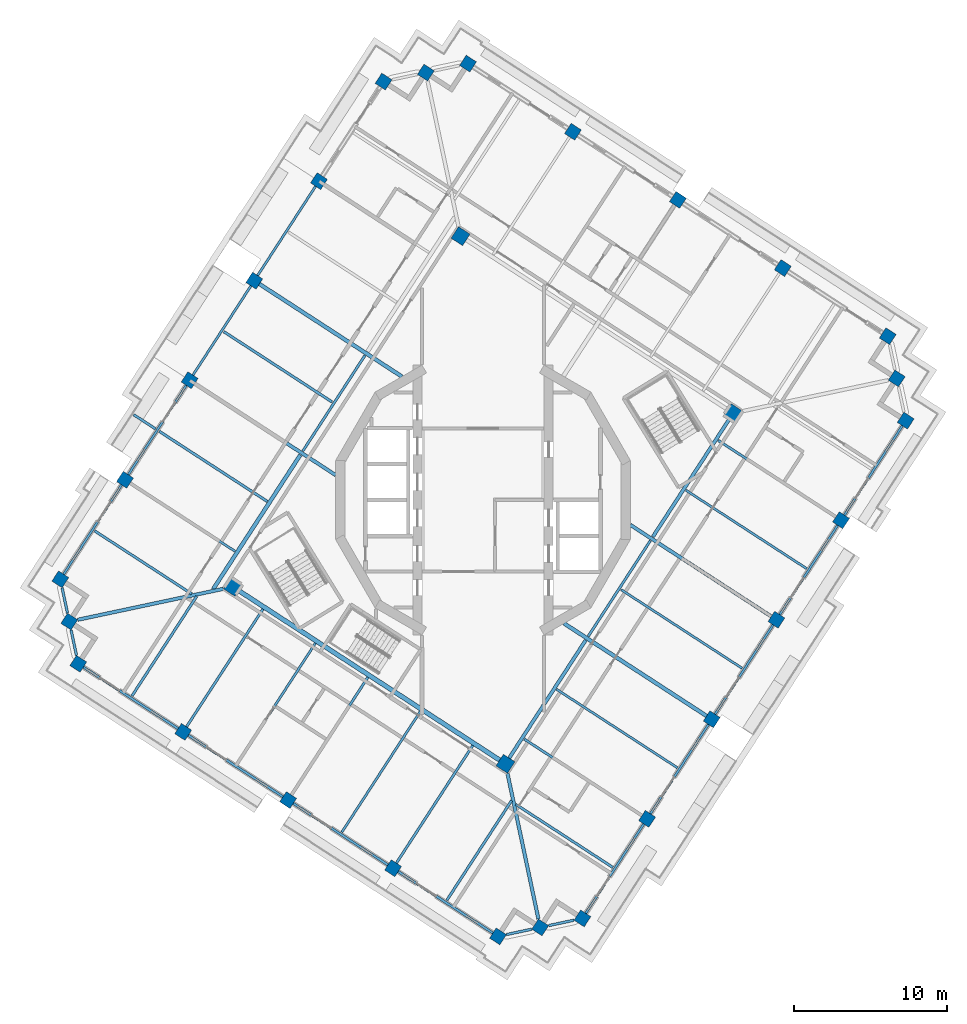
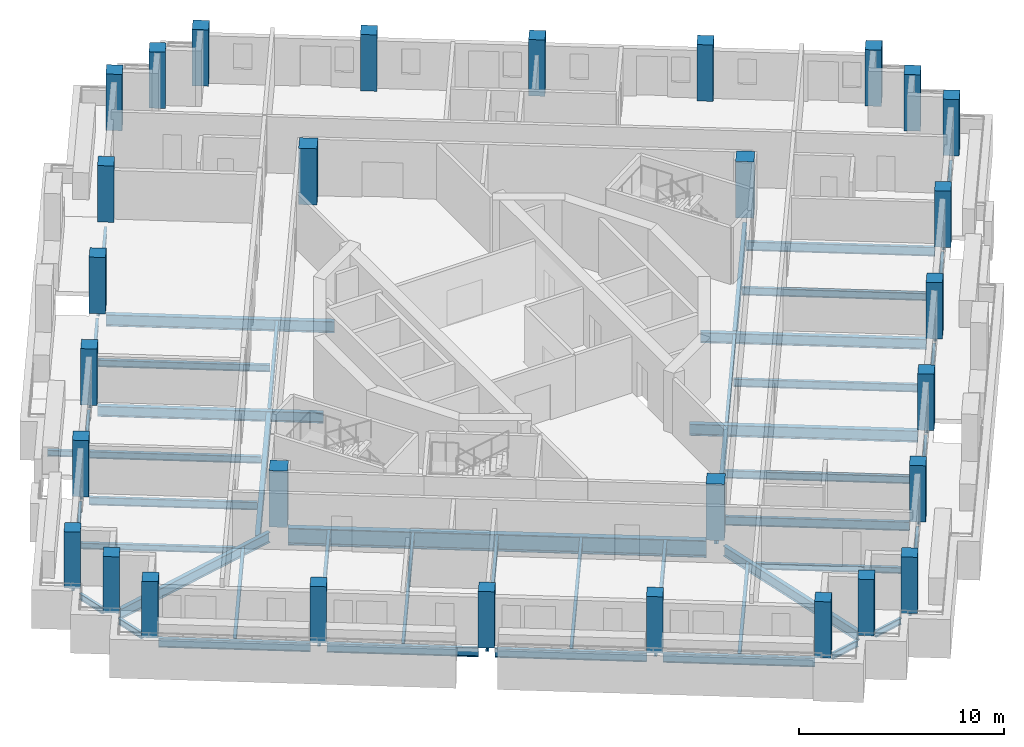
# One storey, part 1 of 15: 47 beams, 30 columns.
"""IFC4 building model written with IfcOpenShell, lengths in metres."""

import ifcopenshell
import ifcopenshell.guid

model = None  # the IFC model being written
_history = None  # IfcOwnerHistory: only IFC2X3 demands one
_inside = {}  # id of a spatial element -> (the spatial element, [elements in it])
_under = {}  # id of a project, library or spatial element -> (it, [spatial elements below it])
_declared = {}  # id of a project -> (the project, [libraries it declares])
_typed = {}  # id of a type object -> (the type object, [elements of that type])
_made_of = {}  # id of a material, layer set ... -> (it, [elements and type objects made of it])


def new_model(schema):
    """Start an empty IFC model of exactly this schema.

    Asked for "IFC4X3", IfcOpenShell would pick the latest addendum, in which some entities
    have other attributes; the version numbers below select the first issue.
    IFC2X3 requires an IfcOwnerHistory on every rooted entity: one is made here for all.
    """
    global model, _history
    if schema == "IFC4X3":
        model = ifcopenshell.file(schema_version=(4, 3, 0, 0))
    else:
        model = ifcopenshell.file(schema=schema)
    _inside.clear()
    _under.clear()
    _declared.clear()
    _typed.clear()
    _made_of.clear()
    _history = None
    if model.schema == "IFC2X3":
        org = make("IfcOrganization", Name="unknown")
        user = make(
            "IfcPersonAndOrganization",
            ThePerson=make("IfcPerson", FamilyName="unknown"),
            TheOrganization=org,
        )
        app = make(
            "IfcApplication",
            ApplicationDeveloper=org,
            Version="unknown",
            ApplicationFullName="unknown",
            ApplicationIdentifier="unknown",
        )
        _history = make(
            "IfcOwnerHistory",
            OwningUser=user,
            OwningApplication=app,
            ChangeAction="ADDED",
            CreationDate=0,
        )
    return model


def make(cls, **values):
    """One entity of the class cls with the attributes given. An attribute that is None is left unset."""
    return model.create_entity(
        cls, **{name: value for name, value in values.items() if value is not None}
    )


def rooted(cls, **values):
    """An entity with a GlobalId (a new one), such as an element, a storey or a relation."""
    return make(cls, GlobalId=ifcopenshell.guid.new(), OwnerHistory=_history, **values)


def si_unit(unit_type, name, prefix=None):
    """IfcSIUnit, for example si_unit("LENGTHUNIT", "METRE", prefix="MILLI")."""
    return make("IfcSIUnit", UnitType=unit_type, Prefix=prefix, Name=name)


def assignment(units):
    """IfcUnitAssignment: the units of a project."""
    return None if units is None else make("IfcUnitAssignment", Units=units)


def point(xyz):
    """IfcCartesianPoint."""
    return None if xyz is None else make("IfcCartesianPoint", Coordinates=xyz)


def direction(xyz):
    """IfcDirection."""
    return None if xyz is None else make("IfcDirection", DirectionRatios=xyz)


def frame(location, z_axis=None, x_axis=None):
    """IfcAxis2Placement3D, a coordinate frame: its origin and axes. An axis left out is left unset."""
    return make(
        "IfcAxis2Placement3D",
        Location=point(location),
        Axis=direction(z_axis),
        RefDirection=direction(x_axis),
    )


def frame_2d(location, x_axis=None):
    """IfcAxis2Placement2D, a coordinate frame in the plane: its origin and x axis."""
    return make(
        "IfcAxis2Placement2D", Location=point(location), RefDirection=direction(x_axis)
    )


def origin():
    """The frame at (0, 0, 0) with its axes left unset."""
    return frame((0.0, 0.0, 0.0))


def origin_2d():
    """The frame at (0, 0) in the plane with its x axis left unset."""
    return frame_2d((0.0, 0.0))


def place(relative_to, where):
    """IfcLocalPlacement: puts the frame where relative to a parent placement (None: the world)."""
    return make(
        "IfcLocalPlacement", PlacementRelTo=relative_to, RelativePlacement=where
    )


def context(
    kind, dimensions, precision=None, world=None, true_north=None, identifier=None
):
    """IfcGeometricRepresentationContext, for example the 3D "Model" context."""
    return make(
        "IfcGeometricRepresentationContext",
        ContextIdentifier=identifier,
        ContextType=kind,
        CoordinateSpaceDimension=dimensions,
        Precision=precision,
        WorldCoordinateSystem=world,
        TrueNorth=true_north,
    )


def subcontext(parent, identifier, kind, view, scale=None):
    """IfcGeometricRepresentationSubContext, for example "Body" below "Model"."""
    return make(
        "IfcGeometricRepresentationSubContext",
        ContextIdentifier=identifier,
        ContextType=kind,
        ParentContext=parent,
        TargetScale=scale,
        TargetView=view,
    )


def project(units=None, contexts=None):
    """IfcProject with its units and contexts."""
    return rooted(
        "IfcProject",
        Name="project",
        RepresentationContexts=contexts,
        UnitsInContext=assignment(units),
    )


def spatial(cls, under=None, at=None, **own):
    """A site, building, storey or space (cls), placed at a placement, below another one or the project."""
    s = rooted(cls, ObjectPlacement=at, **own)
    if under is not None:
        _under.setdefault(under.id(), (under, []))[1].append(s)
    return s


def profile(cls, at=None, kind="AREA", **sizes):
    """A parametric profile (cls). Its sizes go by their IFC names, for example OverallWidth=200.0."""
    return make(cls, ProfileType=kind, Position=at, **sizes)


def rectangle(**sizes):
    """IfcRectangleProfileDef."""
    return profile("IfcRectangleProfileDef", **sizes)


def i_section(**sizes):
    """IfcIShapeProfileDef."""
    return profile("IfcIShapeProfileDef", **sizes)


def extrude(swept, where, along, depth):
    """IfcExtrudedAreaSolid: the profile swept, set in the frame where, extruded along a direction by depth."""
    return make(
        "IfcExtrudedAreaSolid",
        SweptArea=swept,
        Position=where,
        ExtrudedDirection=direction(along),
        Depth=depth,
    )


def shape(context_of_items, identifier, shape_type, items):
    """IfcShapeRepresentation: the items that make up one representation, for example the "Body"."""
    return make(
        "IfcShapeRepresentation",
        ContextOfItems=context_of_items,
        RepresentationIdentifier=identifier,
        RepresentationType=shape_type,
        Items=items,
    )


def material(Name=None, Category=None):
    """IfcMaterial."""
    return make("IfcMaterial", Name=Name, Category=Category)


def material_profile(
    of_material, cross_section, Name=None, Category=None, Priority=None
):
    """IfcMaterialProfile: a cross section and its material."""
    return make(
        "IfcMaterialProfile",
        Name=Name,
        Material=of_material,
        Profile=cross_section,
        Priority=Priority,
        Category=Category,
    )


def profile_set(profiles, Name=None, composite=None):
    """IfcMaterialProfileSet."""
    return make(
        "IfcMaterialProfileSet",
        Name=Name,
        MaterialProfiles=profiles,
        CompositeProfile=composite,
    )


def made_of(thing, what):
    """Note that an element or type object is made of a material, layer set ...; save() writes the relation."""
    if what is not None:
        _made_of.setdefault(what.id(), (what, []))[1].append(thing)
    return thing


def type_object(cls, material=None, **own):
    """A type object (cls), such as IfcWallType, which elements share."""
    return made_of(rooted(cls, **own), material)


def element(
    cls,
    number,
    at=None,
    inside=None,
    cuts=None,
    type_object=None,
    material=None,
    context=None,
    identifier="Body",
    shape_type=None,
    held_by="IfcProductDefinitionShape",
    body=None,
    shapes=None,
    **own,
):
    """One element of the class cls, such as IfcWall. Its Tag is "e" and its number.

    at: its placement. inside: the storey or other place that contains it. cuts: it is an
    opening in that element (IfcRelVoidsElement). A single representation is given by context,
    identifier, shape_type and body (its items); several are given by shapes. held_by: the class
    of the entity that holds the representations. save() writes the other relations.
    """
    e = rooted(cls, Tag="e%d" % number, ObjectPlacement=at, **own)
    if body is not None:
        shapes = [shape(context, identifier, shape_type, body)]
    if shapes is not None:
        e.Representation = make(held_by, Representations=shapes)
    if inside is not None:
        _inside.setdefault(inside.id(), (inside, []))[1].append(e)
    if cuts is not None:
        rooted(
            "IfcRelVoidsElement", RelatingBuildingElement=cuts, RelatedOpeningElement=e
        )
    if type_object is not None:
        _typed.setdefault(type_object.id(), (type_object, []))[1].append(e)
    return made_of(e, material)


def aggregate(whole, parts):
    """IfcRelAggregates: a whole, such as a stair, and the parts it consists of."""
    return rooted("IfcRelAggregates", RelatingObject=whole, RelatedObjects=parts)


def save(model, path):
    """Write the relations noted so far, then the file.

    IfcRelAggregates (storeys below a building ...), IfcRelContainedInSpatialStructure (elements
    in a storey), IfcRelDefinesByType, IfcRelAssociatesMaterial and IfcRelDeclares: one each for
    every whole, place, type object, material and project.
    """
    for whole, parts in _under.values():
        aggregate(whole, parts)
    for where, things in _inside.values():
        rooted(
            "IfcRelContainedInSpatialStructure",
            RelatedElements=things,
            RelatingStructure=where,
        )
    for kind, things in _typed.values():
        rooted("IfcRelDefinesByType", RelatedObjects=things, RelatingType=kind)
    for what, things in _made_of.values():
        rooted("IfcRelAssociatesMaterial", RelatedObjects=things, RelatingMaterial=what)
    for by, libraries in _declared.values():
        rooted("IfcRelDeclares", RelatingContext=by, RelatedDefinitions=libraries)
    model.write(path)


model = new_model("IFC4")

# Units and contexts
model_context = context("Model", 3, precision=1e-05, world=origin(), true_north=direction((0.0, 1.0)))
body_context = subcontext(model_context, "Body", "Model", "MODEL_VIEW")
ifc_project = project(units=[si_unit("LENGTHUNIT", "METRE"), si_unit("AREAUNIT", "SQUARE_METRE"), si_unit("VOLUMEUNIT", "CUBIC_METRE"), si_unit("PLANEANGLEUNIT", "RADIAN"), si_unit("MASSUNIT", "GRAM", prefix="KILO")], contexts=[model_context])

# Site, building, storey
site_placement = place(None, origin())
site = spatial("IfcSite", under=ifc_project, at=site_placement, CompositionType="ELEMENT")
building_placement = place(site_placement, origin())
building = spatial("IfcBuilding", under=site, at=building_placement, Name="Cantera Rosa Tower", CompositionType="ELEMENT")
storey_placement = place(building_placement, frame((0.0, 0.0, 282.89990234375)))
storey = spatial("IfcBuildingStorey", under=building, at=storey_placement, Name="L64", CompositionType="ELEMENT", Elevation=282.89990234375)

# Columns
ifc_material_1 = material(Name="Concrete C50/60", Category="concrete")
ifc_material_profile_1 = material_profile(ifc_material_1, rectangle(XDim=0.800048828125, YDim=0.800048828125, at=origin_2d()), Name="RC COLUMN RC800X800 C50/60")
ifc_profile_set_1 = profile_set([ifc_material_profile_1], Name="Concrete C50/60")
column_type_1 = type_object("IfcColumnType", Name="RC COLUMN RC800X800 C50/60", PredefinedType="COLUMN", material=ifc_profile_set_1)
for number, where, z_axis, x_axis, name in (
    (1, (26.52587890625, 10.73486328125, 0.0), (0.0, 0.0, 1.0), (0.544639035015, 0.838670567945, 0.0), "C-Z5-01 L64"),
    (2, (19.64892578125, 15.20068359375, 0.0), (0.0, 0.0, 1.0), (0.544639035015, 0.838670567945, 0.0), "C-Z5-02 L64"),
    (3, (12.771728515625, 19.666748046875, 0.0), (0.0, 0.0, 1.0), (0.544639035015, 0.838670567945, 0.0), "C-Z5-03 L64"),
    (4, (5.894775390625, 24.1328125, 0.0), (0.0, 0.0, 1.0), (0.544639035015, 0.838670567945, 0.0), "C-Z5-04 L64"),
    (5, (-0.982421875, 28.598876953125, 0.0), (0.0, 0.0, 1.0), (0.544639035015, 0.838670567945, 0.0), "C-Z5-05 L64"),
    (6, (-3.7490234375, 28.0107421875, 0.0), (0.0, 0.0, 1.0), (0.544639035015, 0.838670567945, 0.0), "C-Z5-06 L64"),
    (7, (-6.515625, 27.4228515625, 0.0), (0.0, 0.0, 1.0), (0.544639035015, 0.838670567945, 0.0), "C-Z5-07 L64"),
    (8, (-10.7529296875, 20.89794921875, 0.0), (0.0, 0.0, 1.0), (0.544639035015, 0.838670567945, 0.0), "C-Z5-08 L64"),
    (9, (-14.990234375, 14.373046875, 0.0), (0.0, 0.0, 1.0), (0.544639035015, 0.838670567945, 0.0), "C-Z5-09 L64"),
    (10, (-19.2275390625, 7.84814453125, 0.0), (0.0, 0.0, 1.0), (0.544639035015, 0.838670567945, 0.0), "C-Z5-10 L64"),
    (11, (-23.46484375, 1.3232421875, 0.0), (0.0, 0.0, 1.0), (0.544639035015, 0.838670567945, 0.0), "C-Z5-11 L64"),
    (12, (-27.7021484375, -5.201416015625, 0.0), (0.0, 0.0, 1.0), (0.544639035015, 0.838670567945, 0.0), "C-Z5-12 L64"),
    (13, (-27.114013671875, -7.968017578125, 0.0), (0.0, 0.0, 1.0), (0.544639035015, 0.838670567945, 0.0), "C-Z5-13 L64"),
    (14, (-26.52587890625, -10.73486328125, 0.0), (0.0, 0.0, 1.0), (0.544639035015, 0.838670567945, 0.0), "C-Z5-14 L64"),
    (15, (-19.64892578125, -15.20068359375, 0.0), (0.0, 0.0, 1.0), (0.544639035015, 0.838670567945, 0.0), "C-Z5-15 L64"),
    (16, (-12.771728515625, -19.666748046875, 0.0), (0.0, 0.0, 1.0), (0.544639035015, 0.838670567945, 0.0), "C-Z5-16 L64"),
    (17, (-5.894775390625, -24.1328125, 0.0), (0.0, 0.0, 1.0), (0.544639035015, 0.838670567945, 0.0), "C-Z5-17 L64"),
    (18, (0.982421875, -28.598876953125, 0.0), (0.0, 0.0, 1.0), (0.544639035015, 0.838670567945, 0.0), "C-Z5-18 L64"),
    (19, (3.7490234375, -28.0107421875, 0.0), (0.0, 0.0, 1.0), (0.544639035015, 0.838670567945, 0.0), "C-Z5-19 L64"),
    (20, (6.515625, -27.4228515625, 0.0), (0.0, 0.0, 1.0), (0.544639035015, 0.838670567945, 0.0), "C-Z5-20 L64"),
    (21, (10.7529296875, -20.89794921875, 0.0), (0.0, 0.0, 1.0), (0.544639035015, 0.838670567945, 0.0), "C-Z5-21 L64"),
    (22, (14.990234375, -14.373046875, 0.0), (0.0, 0.0, 1.0), (0.544639035015, 0.838670567945, 0.0), "C-Z5-22 L64"),
    (23, (19.2275390625, -7.84814453125, 0.0), (0.0, 0.0, 1.0), (0.544639035015, 0.838670567945, 0.0), "C-Z5-23 L64"),
    (24, (23.46484375, -1.3232421875, 0.0), (0.0, 0.0, 1.0), (0.544639035015, 0.838670567945, 0.0), "C-Z5-24 L64"),
    (25, (27.7021484375, 5.201416015625, 0.0), (0.0, 0.0, 1.0), (0.544639035015, 0.838670567945, 0.0), "C-Z5-25 L64"),
    (26, (27.114013671875, 7.968017578125, 0.0), (0.0, 0.0, 1.0), (0.544639035015, 0.838670567945, 0.0), "C-Z5-26 L64"),
):
    element("IfcColumn", number, at=place(storey_placement, frame(where, z_axis=z_axis, x_axis=x_axis)), inside=storey, type_object=column_type_1, Name=name, PredefinedType="COLUMN", context=body_context, shape_type="SweptSolid", body=[
        extrude(rectangle(XDim=0.800048828125, YDim=0.800048828125, at=origin_2d()), origin(), (0.0, 0.0, 1.0), 3.35009765625),
    ])
ifc_material_2 = material(Name="Concrete C50/60", Category="concrete")
ifc_material_profile_2 = material_profile(ifc_material_2, rectangle(XDim=0.89990234375, YDim=0.89990234375, at=origin_2d()), Name="RC RING COLUMN RC900X900 C50/60")
ifc_profile_set_2 = profile_set([ifc_material_profile_2], Name="Concrete C50/60")
column_type_2 = type_object("IfcColumnType", Name="RC RING COLUMN RC900X900 C50/60", PredefinedType="COLUMN", material=ifc_profile_set_2)
for number, where, z_axis, x_axis, name in (
    (27, (-1.47021484375, 17.290283203125, 0.0), (0.0, 0.0, 1.0), (0.544639035015, 0.838670567945, 0.0), "CI-Z5-1 L64"),
    (28, (-16.393310546875, -5.689453125, 0.0), (0.0, 0.0, 1.0), (0.544639035015, 0.838670567945, 0.0), "CI-Z5-2 L64"),
    (29, (1.47021484375, -17.290283203125, 0.0), (0.0, 0.0, 1.0), (0.544639035015, 0.838670567945, 0.0), "CI-Z5-3 L64"),
    (30, (16.393310546875, 5.689453125, 0.0), (0.0, 0.0, 1.0), (0.544639035015, 0.838670567945, 0.0), "CI-Z5-4 L64"),
):
    element("IfcColumn", number, at=place(storey_placement, frame(where, z_axis=z_axis, x_axis=x_axis)), inside=storey, type_object=column_type_2, Name=name, PredefinedType="COLUMN", context=body_context, shape_type="SweptSolid", body=[
        extrude(rectangle(XDim=0.89990234375, YDim=0.89990234375, at=origin_2d()), origin(), (0.0, 0.0, 1.0), 3.35009765625),
    ])

# Beams
ifc_material_3 = material(Name="Steel ASTM A992 (Fy 345 MPa)", Category="steel")
ifc_material_profile_3 = material_profile(ifc_material_3, i_section(OverallWidth=0.302001953125, OverallDepth=1.010009765625, WebThickness=0.02099609375, FlangeThickness=0.0400390625, FilletRadius=0.030029296875, at=origin_2d()), Name="W1000X350")
ifc_profile_set_3 = profile_set([ifc_material_profile_3], Name="Steel ASTM A992 (Fy 345 MPa)")
beam_type_1 = type_object("IfcBeamType", Name="STEEL BEAM W1000X350", PredefinedType="BEAM", material=ifc_profile_set_3)
beam_1_placement = place(storey_placement, frame((1.0927734375, -17.045166015625, -0.7548828125), z_axis=(-0.838671580977, 0.54463747508, 0.0), x_axis=(-0.54463747508, -0.838671580977, 0.0)))
element("IfcBeam", 31, at=beam_1_placement, inside=storey, type_object=beam_type_1, Name="RB-Z5-09 L64", PredefinedType="BEAM", context=body_context, shape_type="SweptSolid", body=[
    extrude(i_section(OverallWidth=0.302001953125, OverallDepth=1.010009765625, WebThickness=0.02099609375, FlangeThickness=0.0400390625, FilletRadius=0.030029296875, at=origin_2d()), origin(), (0.0, 0.0, 1.0), 20.39990234375),
])
ifc_material_4 = material(Name="Steel ASTM A992 (Fy 345 MPa)", Category="steel")
ifc_material_profile_4 = material_profile(ifc_material_4, i_section(OverallWidth=0.154052734375, OverallDepth=0.4599609375, WebThickness=0.009033203125, FlangeThickness=0.015380859375, FilletRadius=0.01025390625, at=origin_2d()), Name="W460X68")
ifc_profile_set_4 = profile_set([ifc_material_profile_4], Name="Steel ASTM A992 (Fy 345 MPa)")
beam_type_2 = type_object("IfcBeamType", Name="STEEL BEAM W460X68", PredefinedType="BEAM", material=ifc_profile_set_4)
beam_2_placement = place(storey_placement, frame((-23.12939453125, 1.10546875, -0.47998046875), z_axis=(0.838672777751, -0.544635632198, 0.0), x_axis=(0.544635632198, 0.838672777751, 0.0)))
element("IfcBeam", 32, at=beam_2_placement, inside=storey, type_object=beam_type_2, Name="G-Z5-07 L64", PredefinedType="BEAM", context=body_context, shape_type="SweptSolid", body=[
    extrude(i_section(OverallWidth=0.154052734375, OverallDepth=0.4599609375, WebThickness=0.009033203125, FlangeThickness=0.015380859375, FilletRadius=0.01025390625, at=origin_2d()), origin(), (0.0, 0.0, 1.0), 8.2001953125),
])
ifc_material_5 = material(Name="Steel ASTM A992 (Fy 345 MPa)", Category="steel")
ifc_material_profile_5 = material_profile(ifc_material_5, i_section(OverallWidth=0.166015625, OverallDepth=0.528076171875, WebThickness=0.009765625, FlangeThickness=0.013671875, FilletRadius=0.0126953125, at=origin_2d()), Name="W530X74")
ifc_profile_set_5 = profile_set([ifc_material_profile_5], Name="Steel ASTM A992 (Fy 345 MPa)")
beam_type_3 = type_object("IfcBeamType", Name="STEEL BEAM W530X74", PredefinedType="BEAM", material=ifc_profile_set_5)
for number, where, z_axis, x_axis, name in (
    (33, (10.41748046875, -20.68017578125, -0.513916015625), (-0.838669083999, 0.544641320086, 0.0), (-0.544641320086, -0.838669083999, 0.0), "G-Z5-08 L64"),
    (34, (23.12939453125, -1.10546875, -0.513916015625), (-0.838669083999, 0.544641320086, 0.0), (-0.544641320086, -0.838669083999, 0.0), "G-Z5-11 L64"),
):
    element("IfcBeam", number, at=place(storey_placement, frame(where, z_axis=z_axis, x_axis=x_axis)), inside=storey, type_object=beam_type_3, Name=name, PredefinedType="BEAM", context=body_context, shape_type="SweptSolid", body=[
        extrude(i_section(OverallWidth=0.166015625, OverallDepth=0.528076171875, WebThickness=0.009765625, FlangeThickness=0.013671875, FilletRadius=0.0126953125, at=origin_2d()), origin(), (0.0, 0.0, 1.0), 9.2001953125),
    ])
beam_3_placement = place(storey_placement, frame((-19.430908203125, -14.865234375, -0.513916015625), z_axis=(0.544634776066, 0.838673333724, 0.0), x_axis=(-0.838673333724, 0.544634776066, 0.0)))
element("IfcBeam", 35, at=beam_3_placement, inside=storey, type_object=beam_type_3, Name="G-Z5-12 L64", PredefinedType="BEAM", context=body_context, shape_type="SweptSolid", body=[
    extrude(i_section(OverallWidth=0.166015625, OverallDepth=0.528076171875, WebThickness=0.009765625, FlangeThickness=0.013671875, FilletRadius=0.0126953125, at=origin_2d()), origin(), (0.0, 0.0, 1.0), 9.19970703125),
])
beam_4_placement = place(storey_placement, frame((-12.553955078125, -19.331298828125, -0.513916015625), z_axis=(0.544641320086, 0.838669083999, 0.0), x_axis=(-0.838669083999, 0.544641320086, 0.0)))
element("IfcBeam", 36, at=beam_4_placement, inside=storey, type_object=beam_type_3, Name="G-Z5-13 L64", PredefinedType="BEAM", context=body_context, shape_type="SweptSolid", body=[
    extrude(i_section(OverallWidth=0.166015625, OverallDepth=0.528076171875, WebThickness=0.009765625, FlangeThickness=0.013671875, FilletRadius=0.0126953125, at=origin_2d()), origin(), (0.0, 0.0, 1.0), 9.2001953125),
])
beam_5_placement = place(storey_placement, frame((-5.6767578125, -23.79736328125, -0.513916015625), z_axis=(0.544622654601, 0.838681205283, 0.0), x_axis=(-0.838681205283, 0.544622654601, 0.0)))
element("IfcBeam", 37, at=beam_5_placement, inside=storey, type_object=beam_type_3, Name="G-Z5-14 L64", PredefinedType="BEAM", context=body_context, shape_type="SweptSolid", body=[
    extrude(i_section(OverallWidth=0.166015625, OverallDepth=0.528076171875, WebThickness=0.009765625, FlangeThickness=0.013671875, FilletRadius=0.0126953125, at=origin_2d()), origin(), (0.0, 0.0, 1.0), 9.199951171875),
])
beam_6_placement = place(storey_placement, frame((-11.807373046875, 3.20849609375, -0.513916015625), z_axis=(0.544626910795, 0.838678441381, 0.0), x_axis=(-0.838678441381, 0.544626910795, 0.0)))
element("IfcBeam", 38, at=beam_6_placement, inside=storey, type_object=beam_type_3, Name="RB-Z5-02 L64", PredefinedType="BEAM", context=body_context, shape_type="SweptSolid", body=[
    extrude(i_section(OverallWidth=0.166015625, OverallDepth=0.528076171875, WebThickness=0.009765625, FlangeThickness=0.013671875, FilletRadius=0.0126953125, at=origin_2d()), origin(), (0.0, 0.0, 1.0), 7.479736328125),
])
beam_7_placement = place(storey_placement, frame((6.894775390625, -8.93701171875, -0.513916015625), z_axis=(0.544649868382, 0.838663532575, 0.0), x_axis=(-0.838663532575, 0.544649868382, 0.0)))
element("IfcBeam", 39, at=beam_7_placement, inside=storey, type_object=beam_type_3, Name="RB-Z5-05 L64", PredefinedType="BEAM", context=body_context, shape_type="SweptSolid", body=[
    extrude(i_section(OverallWidth=0.166015625, OverallDepth=0.528076171875, WebThickness=0.009765625, FlangeThickness=0.013671875, FilletRadius=0.0126953125, at=origin_2d()), origin(), (0.0, 0.0, 1.0), 7.47998046875),
])
ifc_material_6 = material(Name="Steel ASTM A992 (Fy 345 MPa)", Category="steel")
ifc_material_profile_6 = material_profile(ifc_material_6, i_section(OverallWidth=0.22802734375, OverallDepth=0.60205078125, WebThickness=0.010498046875, FlangeThickness=0.014892578125, FilletRadius=0.0126953125, at=origin_2d()), Name="W610X101")
ifc_profile_set_6 = profile_set([ifc_material_profile_6], Name="Steel ASTM A992 (Fy 345 MPa)")
beam_type_4 = type_object("IfcBeamType", Name="STEEL BEAM W610X101", PredefinedType="BEAM", material=ifc_profile_set_6)
for number, where, z_axis, x_axis, name in (
    (40, (-26.560791015625, -7.8505859375, -0.55078125), (0.978148167214, 0.20790902572, 0.0), (-0.20790902572, 0.978148167214, 0.0), "CB-Z5-02 L64"),
    (41, (3.63134765625, -27.45751953125, -0.55078125), (-0.20790902572, 0.978148167214, 0.0), (-0.978148167214, -0.20790902572, 0.0), "CB-Z5-03 L64"),
):
    element("IfcBeam", number, at=place(storey_placement, frame(where, z_axis=z_axis, x_axis=x_axis)), inside=storey, type_object=beam_type_4, Name=name, PredefinedType="BEAM", context=body_context, shape_type="SweptSolid", body=[
        extrude(i_section(OverallWidth=0.22802734375, OverallDepth=0.60205078125, WebThickness=0.010498046875, FlangeThickness=0.014892578125, FilletRadius=0.0126953125, at=origin_2d()), origin(), (0.0, 0.0, 1.0), 9.758056640625),
    ])
for number, where, z_axis, x_axis, name in (
    (42, (1.71533203125, -16.912841796875, -0.55078125), (0.54463982867, 0.838670052539, 0.0), (-0.838670052539, 0.54463982867, 0.0), "RB-Z5-04 L64"),
    (43, (11.132080078125, -2.412109375, -0.55078125), (0.54463982867, 0.838670052539, 0.0), (-0.838670052539, 0.54463982867, 0.0), "RB-Z5-06 L64"),
):
    element("IfcBeam", number, at=place(storey_placement, frame(where, z_axis=z_axis, x_axis=x_axis)), inside=storey, type_object=beam_type_4, Name=name, PredefinedType="BEAM", context=body_context, shape_type="SweptSolid", body=[
        extrude(i_section(OverallWidth=0.22802734375, OverallDepth=0.60205078125, WebThickness=0.010498046875, FlangeThickness=0.014892578125, FilletRadius=0.0126953125, at=origin_2d()), origin(), (0.0, 0.0, 1.0), 9.2099609375),
    ])
ifc_material_7 = material(Name="Steel ASTM A992 (Fy 345 MPa)", Category="steel")
ifc_material_profile_7 = material_profile(ifc_material_7, i_section(OverallWidth=0.22900390625, OverallDepth=0.612060546875, WebThickness=0.011962890625, FlangeThickness=0.01953125, FilletRadius=0.0126953125, at=origin_2d()), Name="W610X125")
ifc_profile_set_7 = profile_set([ifc_material_profile_7], Name="Steel ASTM A992 (Fy 345 MPa)")
beam_type_5 = type_object("IfcBeamType", Name="STEEL BEAM W610X125", PredefinedType="BEAM", material=ifc_profile_set_7)
for number, where, z_axis, x_axis, name in (
    (44, (-18.89208984375, 7.63037109375, -0.555908203125), (0.838673569952, -0.544634412302, 0.0), (0.544634412302, 0.838673569952, 0.0), "G-Z5-06 L64"),
    (45, (18.89208984375, -7.63037109375, -0.555908203125), (-0.838673569952, 0.544634412302, 0.0), (-0.544634412302, -0.838673569952, 0.0), "G-Z5-10 L64"),
):
    element("IfcBeam", number, at=place(storey_placement, frame(where, z_axis=z_axis, x_axis=x_axis)), inside=storey, type_object=beam_type_5, Name=name, PredefinedType="BEAM", context=body_context, shape_type="SweptSolid", body=[
        extrude(i_section(OverallWidth=0.22900390625, OverallDepth=0.612060546875, WebThickness=0.011962890625, FlangeThickness=0.01953125, FilletRadius=0.0126953125, at=origin_2d()), origin(), (0.0, 0.0, 1.0), 11.009033203125),
    ])
ifc_material_8 = material(Name="Steel ASTM A992 (Fy 345 MPa)", Category="steel")
ifc_material_profile_8 = material_profile(ifc_material_8, i_section(OverallWidth=0.25390625, OverallDepth=0.677978515625, WebThickness=0.01171875, FlangeThickness=0.016357421875, FilletRadius=0.01513671875, at=origin_2d()), Name="W690X125")
ifc_profile_set_8 = profile_set([ifc_material_profile_8], Name="Steel ASTM A992 (Fy 345 MPa)")
beam_type_6 = type_object("IfcBeamType", Name="STEEL BEAM W690X125", PredefinedType="BEAM", material=ifc_profile_set_8)
for number, where, z_axis, x_axis, name in (
    (46, (-14.65478515625, 14.1552734375, -0.5888671875), (0.838661833747, -0.544652484265, 0.0), (0.544652484265, 0.838661833747, 0.0), "G-Z5-05 L64"),
    (47, (14.65478515625, -14.1552734375, -0.5888671875), (-0.838661833747, 0.544652484265, 0.0), (-0.544652484265, -0.838661833747, 0.0), "G-Z5-09 L64"),
):
    element("IfcBeam", number, at=place(storey_placement, frame(where, z_axis=z_axis, x_axis=x_axis)), inside=storey, type_object=beam_type_6, Name=name, PredefinedType="BEAM", context=body_context, shape_type="SweptSolid", body=[
        extrude(i_section(OverallWidth=0.25390625, OverallDepth=0.677978515625, WebThickness=0.01171875, FlangeThickness=0.016357421875, FilletRadius=0.01513671875, at=origin_2d()), origin(), (0.0, 0.0, 1.0), 11.141357421875),
    ])
beam_8_placement = place(storey_placement, frame((-17.695068359375, -5.857666015625, -0.5888671875), z_axis=(0.544635575355, 0.838672814665, 0.0), x_axis=(-0.838672814665, 0.544635575355, 0.0)))
element("IfcBeam", 48, at=beam_8_placement, inside=storey, type_object=beam_type_6, Name="RB-Z5-01 L64", PredefinedType="BEAM", context=body_context, shape_type="SweptSolid", body=[
    extrude(i_section(OverallWidth=0.25390625, OverallDepth=0.677978515625, WebThickness=0.01171875, FlangeThickness=0.016357421875, FilletRadius=0.01513671875, at=origin_2d()), origin(), (0.0, 0.0, 1.0), 10.510009765625),
])
ifc_material_9 = material(Name="Steel ASTM A992 (Fy 345 MPa)", Category="steel")
ifc_material_profile_9 = material_profile(ifc_material_9, i_section(OverallWidth=0.1708984375, OverallDepth=0.35595703125, WebThickness=0.00732421875, FlangeThickness=0.01171875, FilletRadius=0.010009765625, at=origin_2d()), Name="W360X51")
ifc_profile_set_9 = profile_set([ifc_material_profile_9], Name="Steel ASTM A992 (Fy 345 MPa)")
beam_type_7 = type_object("IfcBeamType", Name="STEEL JOIST W360X51", PredefinedType="JOIST", material=ifc_profile_set_9)
beam_9_placement = place(storey_placement, frame((-25.457763671875, -2.020751953125, -0.427978515625), z_axis=(0.838680170462, -0.54462424815, 0.0), x_axis=(0.54462424815, 0.838680170462, 0.0)))
element("IfcBeam", 49, at=beam_9_placement, inside=storey, type_object=beam_type_7, Name="B-Z5-09 L64", PredefinedType="JOIST", context=body_context, shape_type="SweptSolid", body=[
    extrude(i_section(OverallWidth=0.1708984375, OverallDepth=0.35595703125, WebThickness=0.00732421875, FlangeThickness=0.01171875, FilletRadius=0.010009765625, at=origin_2d()), origin(), (0.0, 0.0, 1.0), 7.590087890625),
])
beam_10_placement = place(storey_placement, frame((8.508544921875, -24.07861328125, -0.427978515625), z_axis=(-0.838670629323, 0.544638940502, 0.0), x_axis=(-0.544638940502, -0.838670629323, 0.0)))
element("IfcBeam", 50, at=beam_10_placement, inside=storey, type_object=beam_type_7, Name="B-Z5-10 L64", PredefinedType="JOIST", context=body_context, shape_type="SweptSolid", body=[
    extrude(i_section(OverallWidth=0.1708984375, OverallDepth=0.35595703125, WebThickness=0.00732421875, FlangeThickness=0.01171875, FilletRadius=0.010009765625, at=origin_2d()), origin(), (0.0, 0.0, 1.0), 7.58984375),
])
for number, where, z_axis, x_axis, name in (
    (51, (-23.005859375, -12.842041015625, -0.427978515625), (0.544641754757, 0.838668801718, 0.0), (-0.838668801718, 0.544641754757, 0.0), "B-Z5-15 L64"),
    (52, (-2.37451171875, -26.239990234375, -0.427978515625), (0.54465605183, 0.838659516851, 0.0), (-0.838659516851, 0.54465605183, 0.0), "B-Z5-18 L64"),
):
    element("IfcBeam", number, at=place(storey_placement, frame(where, z_axis=z_axis, x_axis=x_axis)), inside=storey, type_object=beam_type_7, Name=name, PredefinedType="JOIST", context=body_context, shape_type="SweptSolid", body=[
        extrude(i_section(OverallWidth=0.1708984375, OverallDepth=0.35595703125, WebThickness=0.00732421875, FlangeThickness=0.01171875, FilletRadius=0.010009765625, at=origin_2d()), origin(), (0.0, 0.0, 1.0), 7.800048828125),
    ])
beam_11_placement = place(storey_placement, frame((-21.455078125, 4.656494140625, -0.427978515625), z_axis=(-0.838632369661, 0.544697850699, 0.0), x_axis=(-0.544697850699, -0.838632369661, 0.0)))
element("IfcBeam", 53, at=beam_11_placement, inside=storey, type_object=beam_type_7, Name="BS-Z5-03 L64", PredefinedType="JOIST", context=body_context, shape_type="SweptSolid", body=[
    extrude(i_section(OverallWidth=0.1708984375, OverallDepth=0.35595703125, WebThickness=0.00732421875, FlangeThickness=0.01171875, FilletRadius=0.010009765625, at=origin_2d()), origin(), (0.0, 0.0, 1.0), 1.713623046875),
])
ifc_material_10 = material(Name="Steel ASTM A992 (Fy 345 MPa)", Category="steel")
ifc_material_profile_10 = material_profile(ifc_material_10, i_section(OverallWidth=0.177978515625, OverallDepth=0.406005859375, WebThickness=0.0078125, FlangeThickness=0.0126953125, FilletRadius=0.01025390625, at=origin_2d()), Name="W410X60")
ifc_profile_set_10 = profile_set([ifc_material_profile_10], Name="Steel ASTM A992 (Fy 345 MPa)")
beam_type_8 = type_object("IfcBeamType", Name="STEEL JOIST W410X60", PredefinedType="JOIST", material=ifc_profile_set_10)
for number, where, z_axis, x_axis, name in (
    (54, (-16.983154296875, 11.029052734375, -0.452880859375), (0.838670615657, -0.544638961546, 0.0), (0.544638961546, 0.838670615657, 0.0), "B-Z5-07 L64"),
    (55, (-21.220458984375, 4.504150390625, -0.452880859375), (0.838670615657, -0.544638961546, 0.0), (0.544638961546, 0.838670615657, 0.0), "B-Z5-08 L64"),
):
    element("IfcBeam", number, at=place(storey_placement, frame(where, z_axis=z_axis, x_axis=x_axis)), inside=storey, type_object=beam_type_8, Name=name, PredefinedType="JOIST", context=body_context, shape_type="SweptSolid", body=[
        extrude(i_section(OverallWidth=0.177978515625, OverallDepth=0.406005859375, WebThickness=0.0078125, FlangeThickness=0.0126953125, FilletRadius=0.01025390625, at=origin_2d()), origin(), (0.0, 0.0, 1.0), 8.4501953125),
    ])
ifc_material_11 = material(Name="Steel ASTM A992 (Fy 345 MPa)", Category="steel")
ifc_material_profile_11 = material_profile(ifc_material_11, i_section(OverallWidth=0.154052734375, OverallDepth=0.4599609375, WebThickness=0.009033203125, FlangeThickness=0.015380859375, FilletRadius=0.01025390625, at=origin_2d()), Name="W460X68")
ifc_profile_set_11 = profile_set([ifc_material_profile_11], Name="Steel ASTM A992 (Fy 345 MPa)")
beam_type_9 = type_object("IfcBeamType", Name="STEEL JOIST W460X68", PredefinedType="JOIST", material=ifc_profile_set_11)
beam_12_placement = place(storey_placement, frame((12.745849609375, -17.5537109375, -0.47998046875), z_axis=(-0.838679048974, 0.544625975154, 0.0), x_axis=(-0.544625975154, -0.838679048974, 0.0)))
element("IfcBeam", 56, at=beam_12_placement, inside=storey, type_object=beam_type_9, Name="B-Z5-11 L64", PredefinedType="JOIST", context=body_context, shape_type="SweptSolid", body=[
    extrude(i_section(OverallWidth=0.154052734375, OverallDepth=0.4599609375, WebThickness=0.009033203125, FlangeThickness=0.015380859375, FilletRadius=0.01025390625, at=origin_2d()), origin(), (0.0, 0.0, 1.0), 9.449951171875),
])
for number, where, z_axis, x_axis, name in (
    (57, (16.983154296875, -11.029052734375, -0.47998046875), (-0.838667248419, 0.544644146603, 0.0), (-0.544644146603, -0.838667248419, 0.0), "B-Z5-12 L64"),
    (58, (21.220458984375, -4.504150390625, -0.47998046875), (-0.838667248419, 0.544644146603, 0.0), (-0.544644146603, -0.838667248419, 0.0), "B-Z5-13 L64"),
    (59, (-16.128662109375, -17.30810546875, -0.47998046875), (0.544644146603, 0.838667248419, 0.0), (-0.838667248419, 0.544644146603, 0.0), "B-Z5-16 L64"),
):
    element("IfcBeam", number, at=place(storey_placement, frame(where, z_axis=z_axis, x_axis=x_axis)), inside=storey, type_object=beam_type_9, Name=name, PredefinedType="JOIST", context=body_context, shape_type="SweptSolid", body=[
        extrude(i_section(OverallWidth=0.154052734375, OverallDepth=0.4599609375, WebThickness=0.009033203125, FlangeThickness=0.015380859375, FilletRadius=0.01025390625, at=origin_2d()), origin(), (0.0, 0.0, 1.0), 9.4501953125),
    ])
beam_13_placement = place(storey_placement, frame((-9.25146484375, -21.77392578125, -0.47998046875), z_axis=(0.544637775879, 0.838671385636, 0.0), x_axis=(-0.838671385636, 0.544637775879, 0.0)))
element("IfcBeam", 60, at=beam_13_placement, inside=storey, type_object=beam_type_9, Name="B-Z5-17 L64", PredefinedType="JOIST", context=body_context, shape_type="SweptSolid", body=[
    extrude(i_section(OverallWidth=0.154052734375, OverallDepth=0.4599609375, WebThickness=0.009033203125, FlangeThickness=0.015380859375, FilletRadius=0.01025390625, at=origin_2d()), origin(), (0.0, 0.0, 1.0), 9.44970703125),
])
ifc_material_12 = material(Name="Steel ASTM A992 (Fy 345 MPa)", Category="steel")
ifc_material_profile_12 = material_profile(ifc_material_12, i_section(OverallWidth=0.1708984375, OverallDepth=0.35595703125, WebThickness=0.00732421875, FlangeThickness=0.01171875, FilletRadius=0.010009765625, at=origin_2d()), Name="W360X51")
ifc_profile_set_12 = profile_set([ifc_material_profile_12], Name="Steel ASTM A992 (Fy 345 MPa)")
beam_type_10 = type_object("IfcBeamType", Name="STEEL SPANDREL BEAM W360X51", PredefinedType="SPANDREL", material=ifc_profile_set_12)
for number, where, z_axis, x_axis, name in (
    (61, (-27.58447265625, -5.7548828125, -0.427978515625), (0.207888006632, -0.978152634663, 0.0), (0.978152634663, 0.207888006632, 0.0), "EB-Z5-12 L64"),
    (62, (-26.996337890625, -8.521484375, -0.427978515625), (0.207888006632, -0.978152634663, 0.0), (0.978152634663, 0.207888006632, 0.0), "EB-Z5-13 L64"),
):
    element("IfcBeam", number, at=place(storey_placement, frame(where, z_axis=z_axis, x_axis=x_axis)), inside=storey, type_object=beam_type_10, Name=name, PredefinedType="SPANDREL", context=body_context, shape_type="SweptSolid", body=[
        extrude(i_section(OverallWidth=0.1708984375, OverallDepth=0.35595703125, WebThickness=0.00732421875, FlangeThickness=0.01171875, FilletRadius=0.010009765625, at=origin_2d()), origin(), (0.0, 0.0, 1.0), 1.697021484375),
    ])
for number, where, z_axis, x_axis, name in (
    (63, (1.53564453125, -28.481201171875, -0.427978515625), (0.978158850918, 0.20785875582, 0.0), (-0.20785875582, 0.978158850918, 0.0), "EB-Z5-18 L64"),
    (64, (4.30224609375, -27.893310546875, -0.427978515625), (0.978129595322, 0.207996381593, 0.0), (-0.207996381593, 0.978129595322, 0.0), "EB-Z5-19 L64"),
):
    element("IfcBeam", number, at=place(storey_placement, frame(where, z_axis=z_axis, x_axis=x_axis)), inside=storey, type_object=beam_type_10, Name=name, PredefinedType="SPANDREL", context=body_context, shape_type="SweptSolid", body=[
        extrude(i_section(OverallWidth=0.1708984375, OverallDepth=0.35595703125, WebThickness=0.00732421875, FlangeThickness=0.01171875, FilletRadius=0.010009765625, at=origin_2d()), origin(), (0.0, 0.0, 1.0), 1.697265625),
    ])
ifc_material_13 = material(Name="Steel ASTM A992 (Fy 345 MPa)", Category="steel")
ifc_material_profile_13 = material_profile(ifc_material_13, i_section(OverallWidth=0.154052734375, OverallDepth=0.4599609375, WebThickness=0.009033203125, FlangeThickness=0.015380859375, FilletRadius=0.01025390625, at=origin_2d()), Name="W460X68")
ifc_profile_set_13 = profile_set([ifc_material_profile_13], Name="Steel ASTM A992 (Fy 345 MPa)")
beam_type_11 = type_object("IfcBeamType", Name="STEEL SPANDREL BEAM W460X68", PredefinedType="SPANDREL", material=ifc_profile_set_13)
for number, where, z_axis, x_axis, name in (
    (65, (-10.970703125, 20.5625, -0.47998046875), (-0.544651451949, -0.838662504164, 0.0), (0.838662504164, -0.544651451949, 0.0), "EB-Z5-08 L64"),
    (66, (-15.2080078125, 14.03759765625, -0.47998046875), (-0.544651451949, -0.838662504164, 0.0), (0.838662504164, -0.544651451949, 0.0), "EB-Z5-09 L64"),
):
    element("IfcBeam", number, at=place(storey_placement, frame(where, z_axis=z_axis, x_axis=x_axis)), inside=storey, type_object=beam_type_11, Name=name, PredefinedType="SPANDREL", context=body_context, shape_type="SweptSolid", body=[
        extrude(i_section(OverallWidth=0.154052734375, OverallDepth=0.4599609375, WebThickness=0.009033203125, FlangeThickness=0.015380859375, FilletRadius=0.01025390625, at=origin_2d()), origin(), (0.0, 0.0, 1.0), 6.980224609375),
    ])
for number, where, z_axis, x_axis, name in (
    (67, (-19.4453125, 7.5126953125, -0.47998046875), (-0.544667428764, -0.838652128146, 0.0), (0.838652128146, -0.544667428764, 0.0), "EB-Z5-10 L64"),
    (68, (-23.6826171875, 0.98779296875, -0.47998046875), (-0.544667428764, -0.838652128146, 0.0), (0.838652128146, -0.544667428764, 0.0), "EB-Z5-11 L64"),
):
    element("IfcBeam", number, at=place(storey_placement, frame(where, z_axis=z_axis, x_axis=x_axis)), inside=storey, type_object=beam_type_11, Name=name, PredefinedType="SPANDREL", context=body_context, shape_type="SweptSolid", body=[
        extrude(i_section(OverallWidth=0.154052734375, OverallDepth=0.4599609375, WebThickness=0.009033203125, FlangeThickness=0.015380859375, FilletRadius=0.01025390625, at=origin_2d()), origin(), (0.0, 0.0, 1.0), 6.97998046875),
    ])
for number, where, z_axis, x_axis, name in (
    (69, (6.7333984375, -27.08740234375, -0.47998046875), (0.544651451949, 0.838662504164, 0.0), (-0.838662504164, 0.544651451949, 0.0), "EB-Z5-20 L64"),
    (70, (10.970703125, -20.5625, -0.47998046875), (0.544651451949, 0.838662504164, 0.0), (-0.838662504164, 0.544651451949, 0.0), "EB-Z5-21 L64"),
    (71, (15.2080078125, -14.03759765625, -0.47998046875), (0.544651451949, 0.838662504164, 0.0), (-0.838662504164, 0.544651451949, 0.0), "EB-Z5-22 L64"),
):
    element("IfcBeam", number, at=place(storey_placement, frame(where, z_axis=z_axis, x_axis=x_axis)), inside=storey, type_object=beam_type_11, Name=name, PredefinedType="SPANDREL", context=body_context, shape_type="SweptSolid", body=[
        extrude(i_section(OverallWidth=0.154052734375, OverallDepth=0.4599609375, WebThickness=0.009033203125, FlangeThickness=0.015380859375, FilletRadius=0.01025390625, at=origin_2d()), origin(), (0.0, 0.0, 1.0), 6.980224609375),
    ])
for number, where, z_axis, x_axis, name in (
    (72, (19.4453125, -7.5126953125, -0.47998046875), (0.544667428764, 0.838652128146, 0.0), (-0.838652128146, 0.544667428764, 0.0), "EB-Z5-23 L64"),
    (73, (23.6826171875, -0.98779296875, -0.47998046875), (0.544667428764, 0.838652128146, 0.0), (-0.838652128146, 0.544667428764, 0.0), "EB-Z5-24 L64"),
):
    element("IfcBeam", number, at=place(storey_placement, frame(where, z_axis=z_axis, x_axis=x_axis)), inside=storey, type_object=beam_type_11, Name=name, PredefinedType="SPANDREL", context=body_context, shape_type="SweptSolid", body=[
        extrude(i_section(OverallWidth=0.154052734375, OverallDepth=0.4599609375, WebThickness=0.009033203125, FlangeThickness=0.015380859375, FilletRadius=0.01025390625, at=origin_2d()), origin(), (0.0, 0.0, 1.0), 6.97998046875),
    ])
ifc_material_14 = material(Name="Steel ASTM A992 (Fy 345 MPa)", Category="steel")
ifc_material_profile_14 = material_profile(ifc_material_14, i_section(OverallWidth=0.166015625, OverallDepth=0.528076171875, WebThickness=0.009765625, FlangeThickness=0.013671875, FilletRadius=0.0126953125, at=origin_2d()), Name="W530X74")
ifc_profile_set_14 = profile_set([ifc_material_profile_14], Name="Steel ASTM A992 (Fy 345 MPa)")
beam_type_12 = type_object("IfcBeamType", Name="STEEL SPANDREL BEAM W530X74", PredefinedType="SPANDREL", material=ifc_profile_set_14)
beam_14_placement = place(storey_placement, frame((-26.1904296875, -10.95263671875, -0.513916015625), z_axis=(0.838669679097, -0.544640403719, 0.0), x_axis=(0.544640403719, 0.838669679097, 0.0)))
element("IfcBeam", 74, at=beam_14_placement, inside=storey, type_object=beam_type_12, Name="EB-Z5-14 L64", PredefinedType="SPANDREL", context=body_context, shape_type="SweptSolid", body=[
    extrude(i_section(OverallWidth=0.166015625, OverallDepth=0.528076171875, WebThickness=0.009765625, FlangeThickness=0.013671875, FilletRadius=0.0126953125, at=origin_2d()), origin(), (0.0, 0.0, 1.0), 7.39990234375),
])
beam_15_placement = place(storey_placement, frame((-19.3134765625, -15.418701171875, -0.513916015625), z_axis=(0.838679465365, -0.544625333946, 0.0), x_axis=(0.544625333946, 0.838679465365, 0.0)))
element("IfcBeam", 75, at=beam_15_placement, inside=storey, type_object=beam_type_12, Name="EB-Z5-15 L64", PredefinedType="SPANDREL", context=body_context, shape_type="SweptSolid", body=[
    extrude(i_section(OverallWidth=0.166015625, OverallDepth=0.528076171875, WebThickness=0.009765625, FlangeThickness=0.013671875, FilletRadius=0.0126953125, at=origin_2d()), origin(), (0.0, 0.0, 1.0), 7.400146484375),
])
beam_16_placement = place(storey_placement, frame((-12.436279296875, -19.884765625, -0.513916015625), z_axis=(0.838669679097, -0.544640403719, 0.0), x_axis=(0.544640403719, 0.838669679097, 0.0)))
element("IfcBeam", 76, at=beam_16_placement, inside=storey, type_object=beam_type_12, Name="EB-Z5-16 L64", PredefinedType="SPANDREL", context=body_context, shape_type="SweptSolid", body=[
    extrude(i_section(OverallWidth=0.166015625, OverallDepth=0.528076171875, WebThickness=0.009765625, FlangeThickness=0.013671875, FilletRadius=0.0126953125, at=origin_2d()), origin(), (0.0, 0.0, 1.0), 7.39990234375),
])
beam_17_placement = place(storey_placement, frame((-5.559326171875, -24.350830078125, -0.513916015625), z_axis=(0.838679465365, -0.544625333946, 0.0), x_axis=(0.544625333946, 0.838679465365, 0.0)))
element("IfcBeam", 77, at=beam_17_placement, inside=storey, type_object=beam_type_12, Name="EB-Z5-17 L64", PredefinedType="SPANDREL", context=body_context, shape_type="SweptSolid", body=[
    extrude(i_section(OverallWidth=0.166015625, OverallDepth=0.528076171875, WebThickness=0.009765625, FlangeThickness=0.013671875, FilletRadius=0.0126953125, at=origin_2d()), origin(), (0.0, 0.0, 1.0), 7.400146484375),
])

save(model, "model.ifc")
